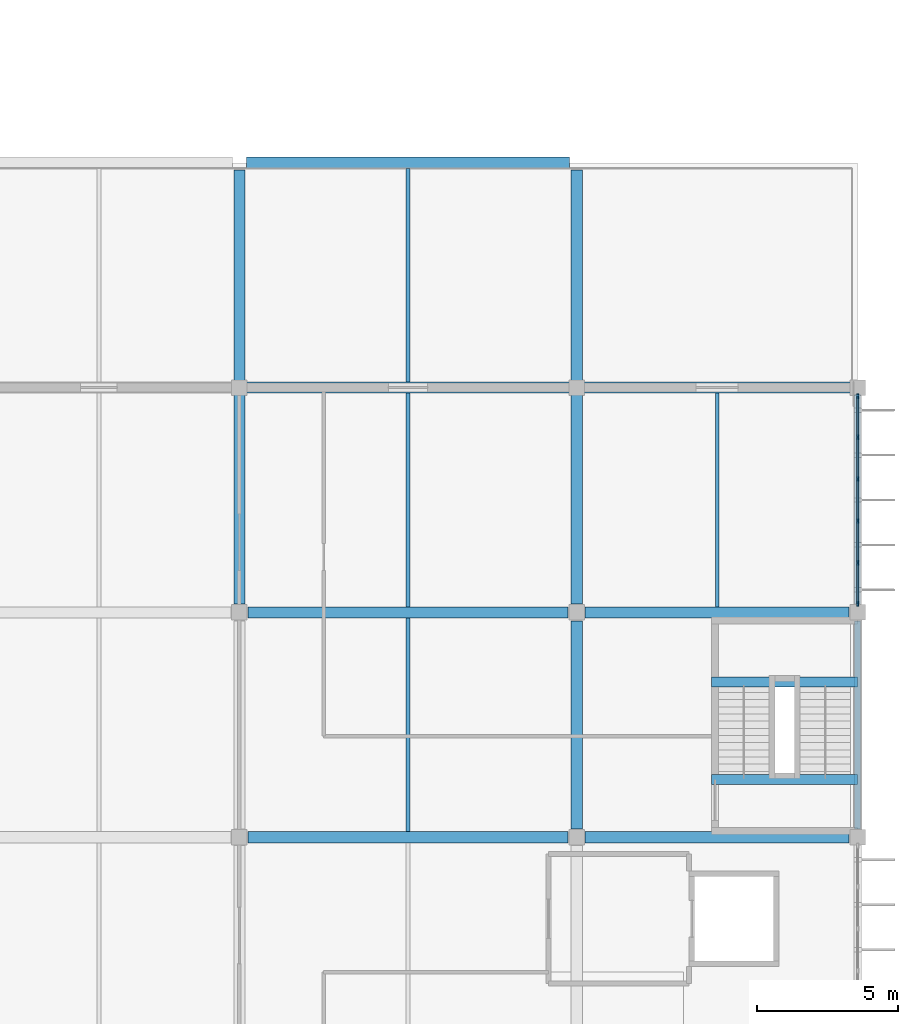
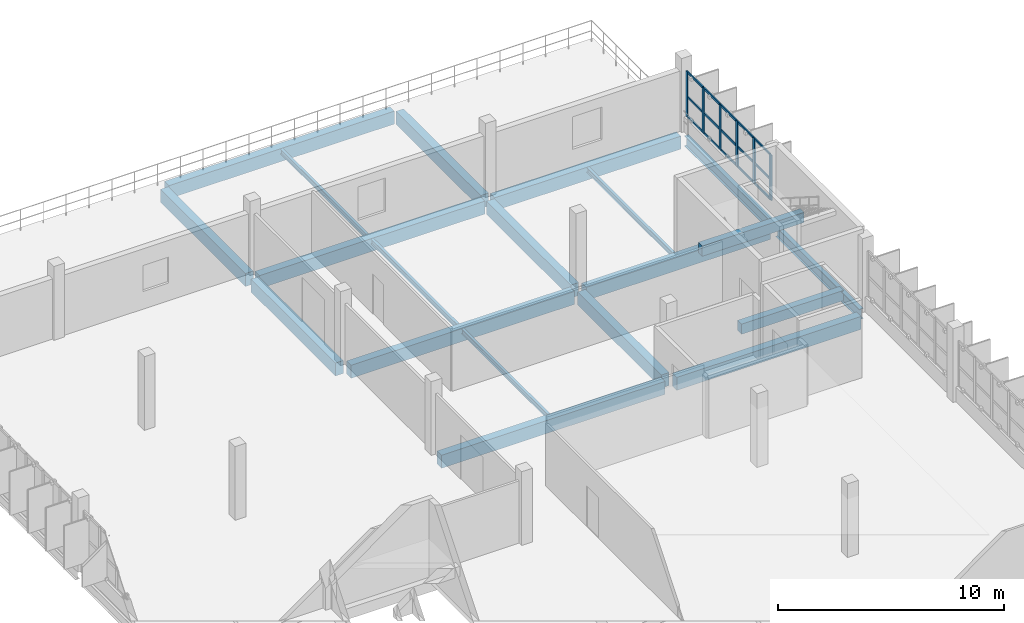
# One storey, part 19 of 38: 21 members, 20 beams, 1 element without a shape of its own.
"""IFC4 building model written with IfcOpenShell, lengths in metres."""

from ifc_helpers import new_model, si_unit, direction, frame, origin, origin_2d, place, context, subcontext, project, spatial, rectangle, i_section, extrude, material, layer, layer_set, material_profile, profile_set, type_object, element, aggregate, save


model = new_model("IFC4")

# Units and contexts
model_context = context("Model", 3, precision=1e-05, world=origin(), true_north=direction((0.0, 1.0)))
body_context = subcontext(model_context, "Body", "Model", "MODEL_VIEW")
ifc_project = project(units=[si_unit("LENGTHUNIT", "METRE"), si_unit("AREAUNIT", "SQUARE_METRE"), si_unit("VOLUMEUNIT", "CUBIC_METRE"), si_unit("PLANEANGLEUNIT", "RADIAN"), si_unit("MASSUNIT", "GRAM", prefix="KILO")], contexts=[model_context])

# Site, building, storey
site_placement = place(None, origin())
site = spatial("IfcSite", under=ifc_project, at=site_placement, CompositionType="ELEMENT")
building_placement = place(site_placement, origin())
building = spatial("IfcBuilding", under=site, at=building_placement, Name="Drelvana Railside Aquatics Centre", CompositionType="ELEMENT")
storey_placement = place(building_placement, frame((0.0, 0.0, 14.39990234375)))
storey = spatial("IfcBuildingStorey", under=building, at=storey_placement, Name="L03", CompositionType="ELEMENT", Elevation=14.39990234375)

# Curtain wall, members
ifc_material_1 = material(Name="Bronze-anodised aluminium curtain wall", Category="aluminium")
ifc_layer = layer(ifc_material_1, 0.175048828125, Name="Bronze-anodised aluminium curtain wall")
ifc_layer_set = layer_set([ifc_layer], Name="Bronze-anodised aluminium curtain wall")
curtain_wall_type = type_object("IfcCurtainWallType", Name="CW-Z6-WING", PredefinedType="NOTDEFINED", material=ifc_layer_set)
curtain_wall_placement = place(storey_placement, origin())
curtain_wall = element("IfcCurtainWall", 1, at=curtain_wall_placement, inside=storey, type_object=curtain_wall_type, Name="Curtain wall CW-06-187", PredefinedType="NOTDEFINED")
ifc_material_2 = material(Name="Bronze-anodised aluminium 6063-T6", Category="aluminium")
ifc_material_profile_1 = material_profile(ifc_material_2, rectangle(XDim=0.06494140625, YDim=0.175048828125, at=origin_2d()), Name="ALU-M 65x175")
ifc_profile_set_1 = profile_set([ifc_material_profile_1], Name="Bronze-anodised aluminium 6063-T6")
member_type_1 = type_object("IfcMemberType", Name="CW-Z6-WING-MUL", PredefinedType="MULLION", material=ifc_profile_set_1)
member_1_placement = place(storey_placement, frame((184.0, 80.301513671875, 0.794189453125), z_axis=(0.0, 0.0, 1.0), x_axis=(-1.0, 0.0, 0.0)))
member_1 = element("IfcMember", 2, at=member_1_placement, type_object=member_type_1, Name="CW-06 mullion 1", PredefinedType="MULLION", context=body_context, shape_type="SweptSolid", body=[
    extrude(rectangle(XDim=0.06494140625, YDim=0.175048828125, at=origin_2d()), origin(), (0.0, 0.0, 1.0), 2.455810546875),
])
member_2_placement = place(storey_placement, frame((184.0, 81.761474609375, 0.794189453125), z_axis=(0.0, 0.0, 1.0), x_axis=(-1.0, 0.0, 0.0)))
member_2 = element("IfcMember", 3, at=member_2_placement, type_object=member_type_1, Name="CW-06 mullion 2", PredefinedType="MULLION", context=body_context, shape_type="SweptSolid", body=[
    extrude(rectangle(XDim=0.06494140625, YDim=0.175048828125, at=origin_2d()), origin(), (0.0, 0.0, 1.0), 2.455810546875),
])
member_3_placement = place(storey_placement, frame((184.0, 83.25390625, 0.794189453125), z_axis=(0.0, 0.0, 1.0), x_axis=(-1.0, 0.0, 0.0)))
member_3 = element("IfcMember", 4, at=member_3_placement, type_object=member_type_1, Name="CW-06 mullion 3", PredefinedType="MULLION", context=body_context, shape_type="SweptSolid", body=[
    extrude(rectangle(XDim=0.06494140625, YDim=0.175048828125, at=origin_2d()), origin(), (0.0, 0.0, 1.0), 2.455810546875),
])
member_4_placement = place(storey_placement, frame((184.0, 84.74609375, 0.794189453125), z_axis=(0.0, 0.0, 1.0), x_axis=(-1.0, 0.0, 0.0)))
member_4 = element("IfcMember", 5, at=member_4_placement, type_object=member_type_1, Name="CW-06 mullion 4", PredefinedType="MULLION", context=body_context, shape_type="SweptSolid", body=[
    extrude(rectangle(XDim=0.06494140625, YDim=0.175048828125, at=origin_2d()), origin(), (0.0, 0.0, 1.0), 2.455810546875),
])
member_5_placement = place(storey_placement, frame((184.0, 86.238525390625, 0.794189453125), z_axis=(0.0, 0.0, 1.0), x_axis=(-1.0, 0.0, 0.0)))
member_5 = element("IfcMember", 6, at=member_5_placement, type_object=member_type_1, Name="CW-06 mullion 5", PredefinedType="MULLION", context=body_context, shape_type="SweptSolid", body=[
    extrude(rectangle(XDim=0.06494140625, YDim=0.175048828125, at=origin_2d()), origin(), (0.0, 0.0, 1.0), 2.455810546875),
])
member_6_placement = place(storey_placement, frame((184.0, 87.698486328125, 0.794189453125), z_axis=(0.0, 0.0, 1.0), x_axis=(-1.0, 0.0, 0.0)))
member_6 = element("IfcMember", 7, at=member_6_placement, type_object=member_type_1, Name="CW-06 mullion 6", PredefinedType="MULLION", context=body_context, shape_type="SweptSolid", body=[
    extrude(rectangle(XDim=0.06494140625, YDim=0.175048828125, at=origin_2d()), origin(), (0.0, 0.0, 1.0), 2.455810546875),
])
ifc_material_profile_2 = material_profile(ifc_material_2, rectangle(XDim=0.1201171875, YDim=0.06005859375, at=origin_2d()), Name="ALU-T 60x120")
ifc_profile_set_2 = profile_set([ifc_material_profile_2], Name="Bronze-anodised aluminium 6063-T6")
member_type_2 = type_object("IfcMemberType", Name="CW-Z6-WING-TRN", PredefinedType="USERDEFINED", material=ifc_profile_set_2)
member_7_placement = place(storey_placement, frame((184.0, 80.3291015625, 0.82421875), z_axis=(0.0, 1.0, 0.0), x_axis=(0.0, 0.0, 1.0)))
member_7 = element("IfcMember", 8, at=member_7_placement, type_object=member_type_2, Name="CW-06 transom 1.1", ObjectType="TRANSOM", PredefinedType="USERDEFINED", context=body_context, shape_type="SweptSolid", body=[
    extrude(rectangle(XDim=0.1201171875, YDim=0.06005859375, at=origin_2d()), origin(), (0.0, 0.0, 1.0), 1.40478515625),
])
member_8_placement = place(storey_placement, frame((184.0, 80.3291015625, 1.899169921875), z_axis=(0.0, 1.0, 0.0), x_axis=(0.0, 0.0, 1.0)))
member_8 = element("IfcMember", 9, at=member_8_placement, type_object=member_type_2, Name="CW-06 transom 1.2", ObjectType="TRANSOM", PredefinedType="USERDEFINED", context=body_context, shape_type="SweptSolid", body=[
    extrude(rectangle(XDim=0.1201171875, YDim=0.06005859375, at=origin_2d()), origin(), (0.0, 0.0, 1.0), 1.40478515625),
])
member_9_placement = place(storey_placement, frame((184.0, 80.3291015625, 3.22021484375), z_axis=(0.0, 1.0, 0.0), x_axis=(0.0, 0.0, 1.0)))
member_9 = element("IfcMember", 10, at=member_9_placement, type_object=member_type_2, Name="CW-06 transom 1.3", ObjectType="TRANSOM", PredefinedType="USERDEFINED", context=body_context, shape_type="SweptSolid", body=[
    extrude(rectangle(XDim=0.1201171875, YDim=0.06005859375, at=origin_2d()), origin(), (0.0, 0.0, 1.0), 1.40478515625),
])
member_10_placement = place(storey_placement, frame((184.0, 81.788818359375, 0.82421875), z_axis=(0.0, 1.0, 0.0), x_axis=(0.0, 0.0, 1.0)))
member_10 = element("IfcMember", 11, at=member_10_placement, type_object=member_type_2, Name="CW-06 transom 2.1", ObjectType="TRANSOM", PredefinedType="USERDEFINED", context=body_context, shape_type="SweptSolid", body=[
    extrude(rectangle(XDim=0.1201171875, YDim=0.06005859375, at=origin_2d()), origin(), (0.0, 0.0, 1.0), 1.4375),
])
member_11_placement = place(storey_placement, frame((184.0, 81.788818359375, 1.899169921875), z_axis=(0.0, 1.0, 0.0), x_axis=(0.0, 0.0, 1.0)))
member_11 = element("IfcMember", 12, at=member_11_placement, type_object=member_type_2, Name="CW-06 transom 2.2", ObjectType="TRANSOM", PredefinedType="USERDEFINED", context=body_context, shape_type="SweptSolid", body=[
    extrude(rectangle(XDim=0.1201171875, YDim=0.06005859375, at=origin_2d()), origin(), (0.0, 0.0, 1.0), 1.4375),
])
member_12_placement = place(storey_placement, frame((184.0, 81.788818359375, 3.22021484375), z_axis=(0.0, 1.0, 0.0), x_axis=(0.0, 0.0, 1.0)))
member_12 = element("IfcMember", 13, at=member_12_placement, type_object=member_type_2, Name="CW-06 transom 2.3", ObjectType="TRANSOM", PredefinedType="USERDEFINED", context=body_context, shape_type="SweptSolid", body=[
    extrude(rectangle(XDim=0.1201171875, YDim=0.06005859375, at=origin_2d()), origin(), (0.0, 0.0, 1.0), 1.4375),
])
member_13_placement = place(storey_placement, frame((184.0, 83.28125, 0.82421875), z_axis=(0.0, 1.0, 0.0), x_axis=(0.0, 0.0, 1.0)))
member_13 = element("IfcMember", 14, at=member_13_placement, type_object=member_type_2, Name="CW-06 transom 3.1", ObjectType="TRANSOM", PredefinedType="USERDEFINED", context=body_context, shape_type="SweptSolid", body=[
    extrude(rectangle(XDim=0.1201171875, YDim=0.06005859375, at=origin_2d()), origin(), (0.0, 0.0, 1.0), 1.4375),
])
member_14_placement = place(storey_placement, frame((184.0, 83.28125, 1.899169921875), z_axis=(0.0, 1.0, 0.0), x_axis=(0.0, 0.0, 1.0)))
member_14 = element("IfcMember", 15, at=member_14_placement, type_object=member_type_2, Name="CW-06 transom 3.2", ObjectType="TRANSOM", PredefinedType="USERDEFINED", context=body_context, shape_type="SweptSolid", body=[
    extrude(rectangle(XDim=0.1201171875, YDim=0.06005859375, at=origin_2d()), origin(), (0.0, 0.0, 1.0), 1.4375),
])
member_15_placement = place(storey_placement, frame((184.0, 83.28125, 3.22021484375), z_axis=(0.0, 1.0, 0.0), x_axis=(0.0, 0.0, 1.0)))
member_15 = element("IfcMember", 16, at=member_15_placement, type_object=member_type_2, Name="CW-06 transom 3.3", ObjectType="TRANSOM", PredefinedType="USERDEFINED", context=body_context, shape_type="SweptSolid", body=[
    extrude(rectangle(XDim=0.1201171875, YDim=0.06005859375, at=origin_2d()), origin(), (0.0, 0.0, 1.0), 1.4375),
])
member_16_placement = place(storey_placement, frame((184.0, 84.773681640625, 0.82421875), z_axis=(0.0, 1.0, 0.0), x_axis=(0.0, 0.0, 1.0)))
member_16 = element("IfcMember", 17, at=member_16_placement, type_object=member_type_2, Name="CW-06 transom 4.1", ObjectType="TRANSOM", PredefinedType="USERDEFINED", context=body_context, shape_type="SweptSolid", body=[
    extrude(rectangle(XDim=0.1201171875, YDim=0.06005859375, at=origin_2d()), origin(), (0.0, 0.0, 1.0), 1.4375),
])
member_17_placement = place(storey_placement, frame((184.0, 84.773681640625, 1.899169921875), z_axis=(0.0, 1.0, 0.0), x_axis=(0.0, 0.0, 1.0)))
member_17 = element("IfcMember", 18, at=member_17_placement, type_object=member_type_2, Name="CW-06 transom 4.2", ObjectType="TRANSOM", PredefinedType="USERDEFINED", context=body_context, shape_type="SweptSolid", body=[
    extrude(rectangle(XDim=0.1201171875, YDim=0.06005859375, at=origin_2d()), origin(), (0.0, 0.0, 1.0), 1.4375),
])
member_18_placement = place(storey_placement, frame((184.0, 84.773681640625, 3.22021484375), z_axis=(0.0, 1.0, 0.0), x_axis=(0.0, 0.0, 1.0)))
member_18 = element("IfcMember", 19, at=member_18_placement, type_object=member_type_2, Name="CW-06 transom 4.3", ObjectType="TRANSOM", PredefinedType="USERDEFINED", context=body_context, shape_type="SweptSolid", body=[
    extrude(rectangle(XDim=0.1201171875, YDim=0.06005859375, at=origin_2d()), origin(), (0.0, 0.0, 1.0), 1.4375),
])
member_19_placement = place(storey_placement, frame((184.0, 86.26611328125, 0.82421875), z_axis=(0.0, 1.0, 0.0), x_axis=(0.0, 0.0, 1.0)))
member_19 = element("IfcMember", 20, at=member_19_placement, type_object=member_type_2, Name="CW-06 transom 5.1", ObjectType="TRANSOM", PredefinedType="USERDEFINED", context=body_context, shape_type="SweptSolid", body=[
    extrude(rectangle(XDim=0.1201171875, YDim=0.06005859375, at=origin_2d()), origin(), (0.0, 0.0, 1.0), 1.40478515625),
])
member_20_placement = place(storey_placement, frame((184.0, 86.26611328125, 1.899169921875), z_axis=(0.0, 1.0, 0.0), x_axis=(0.0, 0.0, 1.0)))
member_20 = element("IfcMember", 21, at=member_20_placement, type_object=member_type_2, Name="CW-06 transom 5.2", ObjectType="TRANSOM", PredefinedType="USERDEFINED", context=body_context, shape_type="SweptSolid", body=[
    extrude(rectangle(XDim=0.1201171875, YDim=0.06005859375, at=origin_2d()), origin(), (0.0, 0.0, 1.0), 1.40478515625),
])
member_21_placement = place(storey_placement, frame((184.0, 86.26611328125, 3.22021484375), z_axis=(0.0, 1.0, 0.0), x_axis=(0.0, 0.0, 1.0)))
member_21 = element("IfcMember", 22, at=member_21_placement, type_object=member_type_2, Name="CW-06 transom 5.3", ObjectType="TRANSOM", PredefinedType="USERDEFINED", context=body_context, shape_type="SweptSolid", body=[
    extrude(rectangle(XDim=0.1201171875, YDim=0.06005859375, at=origin_2d()), origin(), (0.0, 0.0, 1.0), 1.40478515625),
])
aggregate(curtain_wall, [member_1, member_2, member_3, member_4, member_5, member_6, member_7, member_8, member_9, member_10, member_11, member_12, member_13, member_14, member_15, member_16, member_17, member_18, member_19, member_20, member_21])

# Beams
ifc_material_3 = material(Name="Concrete C40/50", Category="concrete")
ifc_material_profile_3 = material_profile(ifc_material_3, rectangle(XDim=0.35009765625, YDim=0.550048828125, at=origin_2d()), Name="RC 350x550")
ifc_profile_set_3 = profile_set([ifc_material_profile_3], Name="Concrete C40/50")
beam_type_1 = type_object("IfcBeamType", Name="STR-BM-BM-01-RC-350x550", PredefinedType="BEAM", material=ifc_profile_set_3)
for number, where, z_axis, x_axis, name in (
    (23, (178.800048828125, 74.050048828125, -0.474853515625), (1.0, 0.0, 0.0), (0.0, 1.0, 0.0), "Stair ST-07 L03 landing beam"),
    (24, (178.800048828125, 77.52490234375, 1.625), (1.0, 0.0, 0.0), (0.0, 1.0, 0.0), "Stair ST-07 L03 mid-landing beam"),
):
    element("IfcBeam", number, at=place(storey_placement, frame(where, z_axis=z_axis, x_axis=x_axis)), inside=storey, type_object=beam_type_1, Name=name, PredefinedType="BEAM", context=body_context, shape_type="SweptSolid", body=[
        extrude(rectangle(XDim=0.35009765625, YDim=0.550048828125, at=origin_2d()), origin(), (0.0, 0.0, 1.0), 5.199951171875),
    ])
ifc_material_profile_4 = material_profile(ifc_material_3, rectangle(XDim=0.39990234375, YDim=0.699951171875, at=origin_2d()), Name="RC 400x700")
ifc_profile_set_4 = profile_set([ifc_material_profile_4], Name="Concrete C40/50")
beam_type_2 = type_object("IfcBeamType", Name="STR-BM-BM-03-RC-400x700", PredefinedType="BEAM", material=ifc_profile_set_4)
beam_1_placement = place(storey_placement, frame((162.300048828125, 72.0, -0.58984375), z_axis=(1.0, 0.0, 0.0), x_axis=(0.0, 1.0, 0.0)))
element("IfcBeam", 25, at=beam_1_placement, inside=storey, type_object=beam_type_2, Name="Girder BM-03 (L03)", PredefinedType="BEAM", context=body_context, shape_type="SweptSolid", body=[
    extrude(rectangle(XDim=0.39990234375, YDim=0.699951171875, at=origin_2d()), origin(), (0.0, 0.0, 1.0), 11.39990234375),
])
beam_2_placement = place(storey_placement, frame((174.300048828125, 72.0, -0.58984375), z_axis=(1.0, 0.0, 0.0), x_axis=(0.0, 1.0, 0.0)))
element("IfcBeam", 26, at=beam_2_placement, inside=storey, type_object=beam_type_2, Name="Girder BM-03 (L03)", PredefinedType="BEAM", context=body_context, shape_type="SweptSolid", body=[
    extrude(rectangle(XDim=0.39990234375, YDim=0.699951171875, at=origin_2d()), origin(), (0.0, 0.0, 1.0), 9.39990234375),
])
beam_3_placement = place(storey_placement, frame((162.300048828125, 80.0, -0.58984375), z_axis=(1.0, 0.0, 0.0), x_axis=(0.0, 1.0, 0.0)))
element("IfcBeam", 27, at=beam_3_placement, inside=storey, type_object=beam_type_2, Name="Girder BM-03 (L03)", PredefinedType="BEAM", context=body_context, shape_type="SweptSolid", body=[
    extrude(rectangle(XDim=0.39990234375, YDim=0.699951171875, at=origin_2d()), origin(), (0.0, 0.0, 1.0), 11.39990234375),
])
beam_4_placement = place(storey_placement, frame((174.300048828125, 80.0, -0.58984375), z_axis=(1.0, 0.0, 0.0), x_axis=(0.0, 1.0, 0.0)))
element("IfcBeam", 28, at=beam_4_placement, inside=storey, type_object=beam_type_2, Name="Girder BM-03 (L03)", PredefinedType="BEAM", context=body_context, shape_type="SweptSolid", body=[
    extrude(rectangle(XDim=0.39990234375, YDim=0.699951171875, at=origin_2d()), origin(), (0.0, 0.0, 1.0), 9.39990234375),
])
beam_5_placement = place(storey_placement, frame((162.25, 88.0, -0.58984375), z_axis=(1.0, 0.0, 0.0), x_axis=(0.0, 1.0, 0.0)))
element("IfcBeam", 29, at=beam_5_placement, inside=storey, type_object=beam_type_2, Name="Girder BM-03 (L03)", PredefinedType="BEAM", context=body_context, shape_type="SweptSolid", body=[
    extrude(rectangle(XDim=0.39990234375, YDim=0.699951171875, at=origin_2d()), origin(), (0.0, 0.0, 1.0), 11.5),
])
beam_6_placement = place(storey_placement, frame((174.25, 88.0, -0.58984375), z_axis=(1.0, 0.0, 0.0), x_axis=(0.0, 1.0, 0.0)))
element("IfcBeam", 30, at=beam_6_placement, inside=storey, type_object=beam_type_2, Name="Girder BM-03 (L03)", PredefinedType="BEAM", context=body_context, shape_type="SweptSolid", body=[
    extrude(rectangle(XDim=0.39990234375, YDim=0.699951171875, at=origin_2d()), origin(), (0.0, 0.0, 1.0), 9.5),
])
beam_7_placement = place(storey_placement, frame((162.25, 96.0, -0.58984375), z_axis=(1.0, 0.0, 0.0), x_axis=(0.0, 1.0, 0.0)))
element("IfcBeam", 31, at=beam_7_placement, inside=storey, type_object=beam_type_2, Name="Girder BM-03 (L03)", PredefinedType="BEAM", context=body_context, shape_type="SweptSolid", body=[
    extrude(rectangle(XDim=0.39990234375, YDim=0.699951171875, at=origin_2d()), origin(), (0.0, 0.0, 1.0), 11.5),
])
beam_8_placement = place(storey_placement, frame((162.0, 80.300048828125, -0.58984375), z_axis=(0.0, 1.0, 0.0), x_axis=(-1.0, 0.0, 0.0)))
element("IfcBeam", 32, at=beam_8_placement, inside=storey, type_object=beam_type_2, Name="Girder BM-03 (L03)", PredefinedType="BEAM", context=body_context, shape_type="SweptSolid", body=[
    extrude(rectangle(XDim=0.39990234375, YDim=0.699951171875, at=origin_2d()), origin(), (0.0, 0.0, 1.0), 7.449951171875),
])
beam_9_placement = place(storey_placement, frame((162.0, 88.25, -0.58984375), z_axis=(0.0, 1.0, 0.0), x_axis=(-1.0, 0.0, 0.0)))
element("IfcBeam", 33, at=beam_9_placement, inside=storey, type_object=beam_type_2, Name="Girder BM-03 (L03)", PredefinedType="BEAM", context=body_context, shape_type="SweptSolid", body=[
    extrude(rectangle(XDim=0.39990234375, YDim=0.699951171875, at=origin_2d()), origin(), (0.0, 0.0, 1.0), 7.5),
])
beam_10_placement = place(storey_placement, frame((174.0, 72.300048828125, -0.58984375), z_axis=(0.0, 1.0, 0.0), x_axis=(-1.0, 0.0, 0.0)))
element("IfcBeam", 34, at=beam_10_placement, inside=storey, type_object=beam_type_2, Name="Girder BM-03 (L03)", PredefinedType="BEAM", context=body_context, shape_type="SweptSolid", body=[
    extrude(rectangle(XDim=0.39990234375, YDim=0.699951171875, at=origin_2d()), origin(), (0.0, 0.0, 1.0), 7.39990234375),
])
beam_11_placement = place(storey_placement, frame((174.0, 80.300048828125, -0.58984375), z_axis=(0.0, 1.0, 0.0), x_axis=(-1.0, 0.0, 0.0)))
element("IfcBeam", 35, at=beam_11_placement, inside=storey, type_object=beam_type_2, Name="Girder BM-03 (L03)", PredefinedType="BEAM", context=body_context, shape_type="SweptSolid", body=[
    extrude(rectangle(XDim=0.39990234375, YDim=0.699951171875, at=origin_2d()), origin(), (0.0, 0.0, 1.0), 7.449951171875),
])
beam_12_placement = place(storey_placement, frame((174.0, 88.25, -0.58984375), z_axis=(0.0, 1.0, 0.0), x_axis=(-1.0, 0.0, 0.0)))
element("IfcBeam", 36, at=beam_12_placement, inside=storey, type_object=beam_type_2, Name="Girder BM-03 (L03)", PredefinedType="BEAM", context=body_context, shape_type="SweptSolid", body=[
    extrude(rectangle(XDim=0.39990234375, YDim=0.699951171875, at=origin_2d()), origin(), (0.0, 0.0, 1.0), 7.5),
])
ifc_material_4 = material(Name="Structural steel S355", Category="steel")
ifc_material_profile_5 = material_profile(ifc_material_4, i_section(OverallWidth=0.2099609375, OverallDepth=0.550048828125, WebThickness=0.010986328125, FlangeThickness=0.01708984375, at=origin_2d()), Name="IPE 550")
ifc_profile_set_5 = profile_set([ifc_material_profile_5], Name="Structural steel S355")
beam_type_3 = type_object("IfcBeamType", Name="STR-SBM-SB-04-IPE-550", PredefinedType="SPANDREL", material=ifc_profile_set_5)
beam_13_placement = place(storey_placement, frame((184.0, 72.300048828125, -0.514892578125), z_axis=(0.0, 1.0, 0.0), x_axis=(-1.0, 0.0, 0.0)))
element("IfcBeam", 37, at=beam_13_placement, inside=storey, type_object=beam_type_3, Name="Girder SB-04 (L03)", PredefinedType="SPANDREL", context=body_context, shape_type="SweptSolid", body=[
    extrude(i_section(OverallWidth=0.2099609375, OverallDepth=0.550048828125, WebThickness=0.010986328125, FlangeThickness=0.01708984375, at=origin_2d()), origin(), (0.0, 0.0, 1.0), 7.39990234375),
])
beam_14_placement = place(storey_placement, frame((184.0, 80.300048828125, -0.514892578125), z_axis=(0.0, 1.0, 0.0), x_axis=(-1.0, 0.0, 0.0)))
element("IfcBeam", 38, at=beam_14_placement, inside=storey, type_object=beam_type_3, Name="Girder SB-04 (L03)", PredefinedType="SPANDREL", context=body_context, shape_type="SweptSolid", body=[
    extrude(i_section(OverallWidth=0.2099609375, OverallDepth=0.550048828125, WebThickness=0.010986328125, FlangeThickness=0.01708984375, at=origin_2d()), origin(), (0.0, 0.0, 1.0), 7.449951171875),
])
ifc_material_profile_6 = material_profile(ifc_material_4, i_section(OverallWidth=0.135009765625, OverallDepth=0.27001953125, WebThickness=0.006591796875, FlangeThickness=0.01025390625, at=origin_2d()), Name="IPE 270")
ifc_profile_set_6 = profile_set([ifc_material_profile_6], Name="Structural steel S355")
beam_type_4 = type_object("IfcBeamType", Name="STR-SBM-SJ-02-IPE-270", PredefinedType="JOIST", material=ifc_profile_set_6)
for number, where, z_axis, x_axis, name in (
    (39, (168.0, 72.199951171875, -0.375), (0.0, 1.0, 0.0), (-1.0, 0.0, 0.0), "Secondary floor joist SJ-02 (L03)"),
    (40, (168.0, 80.199951171875, -0.375), (0.0, 1.0, 0.0), (-1.0, 0.0, 0.0), "Secondary floor joist SJ-02 (L03)"),
    (41, (168.0, 88.199951171875, -0.375), (0.0, 1.0, 0.0), (-1.0, 0.0, 0.0), "Secondary floor joist SJ-02 (L03)"),
    (42, (179.0, 80.199951171875, -0.375), (0.0, 1.0, 0.0), (-1.0, 0.0, 0.0), "Secondary floor joist SJ-02 (L03)"),
):
    element("IfcBeam", number, at=place(storey_placement, frame(where, z_axis=z_axis, x_axis=x_axis)), inside=storey, type_object=beam_type_4, Name=name, PredefinedType="JOIST", context=body_context, shape_type="SweptSolid", body=[
        extrude(i_section(OverallWidth=0.135009765625, OverallDepth=0.27001953125, WebThickness=0.006591796875, FlangeThickness=0.01025390625, at=origin_2d()), origin(), (0.0, 0.0, 1.0), 7.60009765625),
    ])

save(model, "model.ifc")
